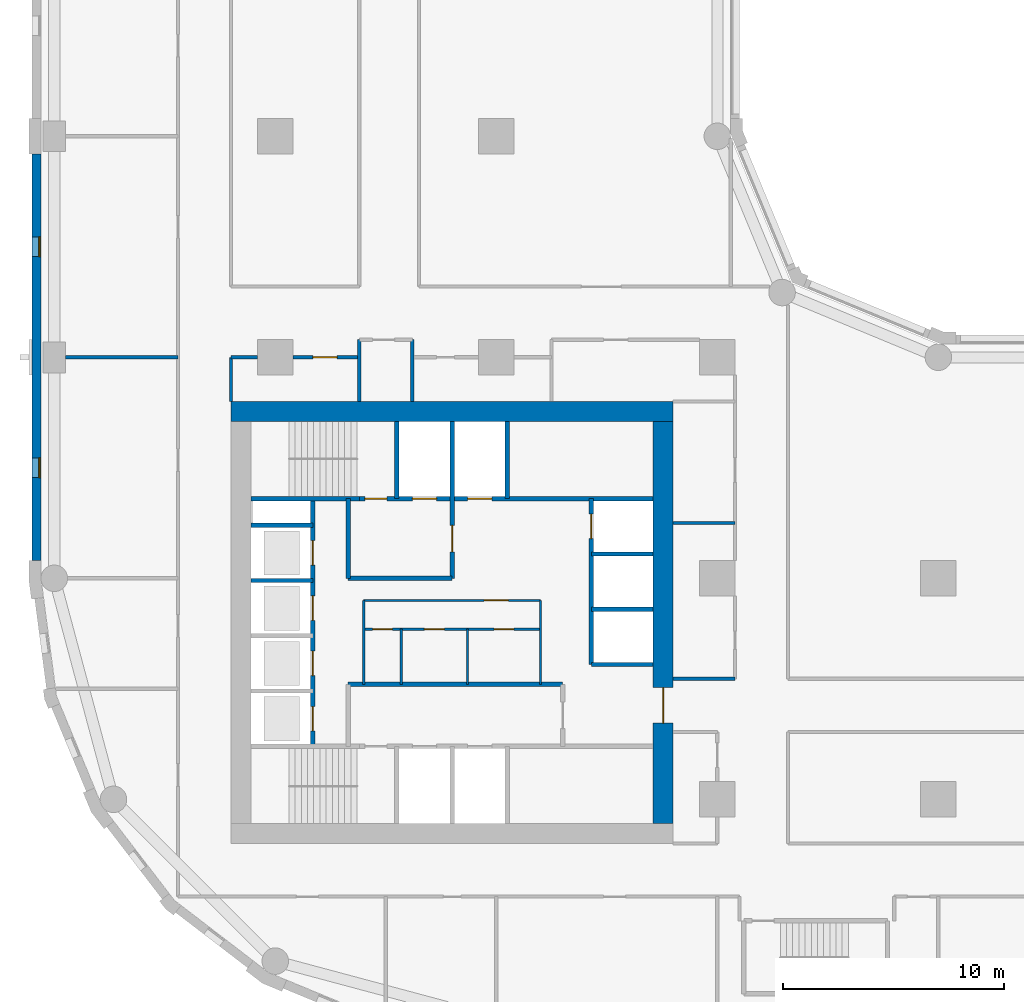
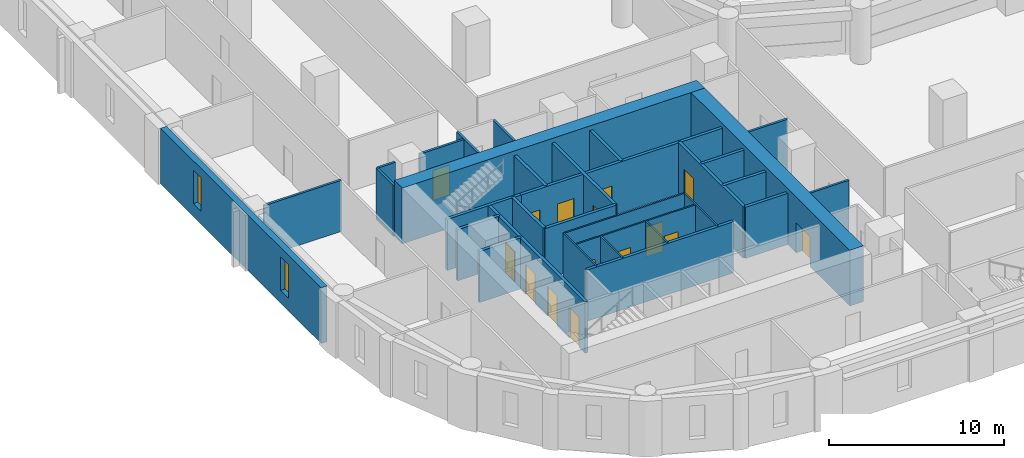
# One storey, part 3 of 10: 32 walls, 15 doors, 2 windows, 17 openings.
"""IFC4 building model written with IfcOpenShell, lengths in metres."""

from ifc_helpers import new_model, si_unit, direction, frame, frame_2d, origin, place, context, subcontext, project, spatial, rectangle, extrude, material, layer, layer_set, type_object, element, fill, save


model = new_model("IFC4")

# Units and contexts
model_context = context("Model", 3, precision=1e-05, world=origin(), true_north=direction((0.0, 1.0)))
body_context = subcontext(model_context, "Body", "Model", "MODEL_VIEW")
ifc_project = project(units=[si_unit("LENGTHUNIT", "METRE"), si_unit("AREAUNIT", "SQUARE_METRE"), si_unit("VOLUMEUNIT", "CUBIC_METRE"), si_unit("PLANEANGLEUNIT", "RADIAN"), si_unit("MASSUNIT", "GRAM", prefix="KILO")], contexts=[model_context])

# Site, building, storey
site_placement = place(None, origin())
site = spatial("IfcSite", under=ifc_project, at=site_placement, CompositionType="ELEMENT")
building_placement = place(site_placement, origin())
building = spatial("IfcBuilding", under=site, at=building_placement, Name="Qaws Garden Tower", CompositionType="ELEMENT")
storey_placement = place(building_placement, frame((0.0, 0.0, 54.89990234375)))
storey = spatial("IfcBuildingStorey", under=building, at=storey_placement, Name="L13", CompositionType="ELEMENT", Elevation=54.89990234375)

# Wall, openings, windows
ifc_material_1 = material(Name="Clay facing brick masonry", Category="masonry")
ifc_layer_1 = layer(ifc_material_1, 0.39990234375)
ifc_layer_set_1 = layer_set([ifc_layer_1], Name="Clay facing brick masonry")
wall_type_1 = type_object("IfcWallType", Name="Brick infill wall 400", PredefinedType="SOLIDWALL", material=ifc_layer_set_1)
wall_1_placement = place(storey_placement, frame((-0.800048828125, 39.199951171875, 0.0), z_axis=(0.0, 0.0, 1.0), x_axis=(0.0, -1.0, 0.0)))
wall_1 = element("IfcWall", 1, at=wall_1_placement, inside=storey, type_object=wall_type_1, Name="E-L13-infill-25", PredefinedType="SOLIDWALL", context=body_context, shape_type="SweptSolid", body=[
    extrude(rectangle(XDim=18.39990234375, YDim=0.39990234375, at=frame_2d((9.199951171875, 0.0))), origin(), (0.0, 0.0, 1.0), 3.900146484375),
])
opening_1_placement = place(wall_1_placement, frame((3.75, 0.0, 0.89990234375)))
opening_1 = element("IfcOpeningElement", 2, at=opening_1_placement, cuts=wall_1, Name="Opening W09", PredefinedType="OPENING", context=body_context, shape_type="SweptSolid", body=[
    extrude(rectangle(XDim=0.89990234375, YDim=2.35009765625, at=frame_2d((0.449951171875, 1.175048828125))), frame((0.0, 0.2099609375, 0.0), z_axis=(0.0, -1.0, 0.0), x_axis=(1.0, 0.0, 0.0)), (0.0, 0.0, 1.0), 0.419921875),
])
opening_2_placement = place(wall_1_placement, frame((13.75, 0.0, 0.89990234375)))
opening_2 = element("IfcOpeningElement", 3, at=opening_2_placement, cuts=wall_1, Name="Opening W09", PredefinedType="OPENING", context=body_context, shape_type="SweptSolid", body=[
    extrude(rectangle(XDim=0.89990234375, YDim=2.35009765625, at=frame_2d((0.449951171875, 1.175048828125))), frame((0.0, 0.2099609375, 0.0), z_axis=(0.0, -1.0, 0.0), x_axis=(1.0, 0.0, 0.0)), (0.0, 0.0, 1.0), 0.419921875),
])
ifc_material_2 = material(Name="Aluminium framed window, clear glazing", Category="aluminium")
window_type = type_object("IfcWindowType", Name="Slit window 900 x 2350", PartitioningType="SINGLE_PANEL", PredefinedType="WINDOW", material=ifc_material_2)
window_1_placement = place(opening_1_placement, origin())
window_1 = element("IfcWindow", 4, at=window_1_placement, inside=storey, type_object=window_type, Name="E-L13-window-25-0", OverallHeight=2.35009765625, OverallWidth=0.89990234375, PartitioningType="SINGLE_PANEL", PredefinedType="WINDOW", context=body_context, shape_type="SweptSolid", body=[
    extrude(rectangle(XDim=0.89990234375, YDim=2.35009765625, at=frame_2d((0.449951171875, 1.175048828125))), frame((0.0, 0.159912109375, 0.0), z_axis=(0.0, -1.0, 0.0), x_axis=(1.0, 0.0, 0.0)), (0.0, 0.0, 1.0), 0.06005859375),
])
fill(opening_1, window_1)
window_2_placement = place(opening_2_placement, origin())
window_2 = element("IfcWindow", 5, at=window_2_placement, inside=storey, type_object=window_type, Name="E-L13-window-26-0", OverallHeight=2.35009765625, OverallWidth=0.89990234375, PartitioningType="SINGLE_PANEL", PredefinedType="WINDOW", context=body_context, shape_type="SweptSolid", body=[
    extrude(rectangle(XDim=0.89990234375, YDim=2.35009765625, at=frame_2d((0.449951171875, 1.175048828125))), frame((0.0, 0.159912109375, 0.0), z_axis=(0.0, -1.0, 0.0), x_axis=(1.0, 0.0, 0.0)), (0.0, 0.0, 1.0), 0.06005859375),
])
fill(opening_2, window_2)

# Wall, openings, doors
ifc_material_3 = material(Name="Plasterboard")
ifc_layer_2 = layer(ifc_material_3, 0.10009765625)
ifc_layer_set_2 = layer_set([ifc_layer_2], Name="Plasterboard")
wall_type_2 = type_object("IfcWallType", Name="Core partition 100", PredefinedType="PARTITIONING", material=ifc_layer_set_2)
wall_2_placement = place(storey_placement, frame((14.0, 17.699951171875, 0.0), z_axis=(0.0, 0.0, 1.0), x_axis=(1.0, 0.0, 0.0)))
wall_2 = element("IfcWall", 6, at=wall_2_placement, inside=storey, type_object=wall_type_2, Name="Core partition", PredefinedType="PARTITIONING", context=body_context, shape_type="SweptSolid", body=[
    extrude(rectangle(XDim=8.0, YDim=0.10009765625, at=frame_2d((4.0, 0.0))), origin(), (0.0, 0.0, 1.0), 3.580078125),
])
opening_3_placement = place(wall_2_placement, frame((0.39990234375, 0.0, 0.0)))
opening_3 = element("IfcOpeningElement", 7, at=opening_3_placement, cuts=wall_2, Name="Opening WD18", PredefinedType="OPENING", context=body_context, shape_type="SweptSolid", body=[
    extrude(rectangle(XDim=0.89990234375, YDim=2.10009765625, at=frame_2d((0.449951171875, 1.050048828125))), frame((0.0, 0.06005859375, 0.0), z_axis=(0.0, -1.0, 0.0), x_axis=(1.0, 0.0, 0.0)), (0.0, 0.0, 1.0), 0.1201171875),
])
opening_4_placement = place(wall_2_placement, frame((2.75, 0.0, 0.0)))
opening_4 = element("IfcOpeningElement", 8, at=opening_4_placement, cuts=wall_2, Name="Opening WD19", PredefinedType="OPENING", context=body_context, shape_type="SweptSolid", body=[
    extrude(rectangle(XDim=0.89990234375, YDim=2.10009765625, at=frame_2d((0.449951171875, 1.050048828125))), frame((0.0, 0.06005859375, 0.0), z_axis=(0.0, -1.0, 0.0), x_axis=(1.0, 0.0, 0.0)), (0.0, 0.0, 1.0), 0.1201171875),
])
opening_5_placement = place(wall_2_placement, frame((5.89990234375, 0.0, 0.0)))
opening_5 = element("IfcOpeningElement", 9, at=opening_5_placement, cuts=wall_2, Name="Opening WD20", PredefinedType="OPENING", context=body_context, shape_type="SweptSolid", body=[
    extrude(rectangle(XDim=0.89990234375, YDim=2.10009765625, at=frame_2d((0.449951171875, 1.050048828125))), frame((0.0, 0.06005859375, 0.0), z_axis=(0.0, -1.0, 0.0), x_axis=(1.0, 0.0, 0.0)), (0.0, 0.0, 1.0), 0.1201171875),
])
ifc_material_4 = material(Name="Timber", Category="wood")
door_type_1 = type_object("IfcDoorType", Name="WC door 900x2100", OperationType="SINGLE_SWING_LEFT", PredefinedType="DOOR", material=ifc_material_4)
door_1_placement = place(opening_3_placement, frame((0.89990234375, 0.0, 0.0), z_axis=(0.0, 0.0, 1.0), x_axis=(-1.0, 0.0, 0.0)))
door_1 = element("IfcDoor", 10, at=door_1_placement, inside=storey, type_object=door_type_1, Name="Accessible WC door", OperationType="SINGLE_SWING_LEFT", OverallHeight=2.10009765625, OverallWidth=0.89990234375, PredefinedType="DOOR", context=body_context, shape_type="SweptSolid", body=[
    extrude(rectangle(XDim=0.89990234375, YDim=2.10009765625, at=frame_2d((0.449951171875, 1.050048828125))), frame((0.0, 0.02490234375, 0.0), z_axis=(0.0, -1.0, 0.0), x_axis=(1.0, 0.0, 0.0)), (0.0, 0.0, 1.0), 0.050048828125),
])
fill(opening_3, door_1)
door_2_placement = place(opening_4_placement, frame((0.89990234375, 0.0, 0.0), z_axis=(0.0, 0.0, 1.0), x_axis=(-1.0, 0.0, 0.0)))
door_2 = element("IfcDoor", 11, at=door_2_placement, inside=storey, type_object=door_type_1, Name="Men's WC door", OperationType="SINGLE_SWING_LEFT", OverallHeight=2.10009765625, OverallWidth=0.89990234375, PredefinedType="DOOR", context=body_context, shape_type="SweptSolid", body=[
    extrude(rectangle(XDim=0.89990234375, YDim=2.10009765625, at=frame_2d((0.449951171875, 1.050048828125))), frame((0.0, 0.02490234375, 0.0), z_axis=(0.0, -1.0, 0.0), x_axis=(1.0, 0.0, 0.0)), (0.0, 0.0, 1.0), 0.050048828125),
])
fill(opening_4, door_2)
door_3_placement = place(opening_5_placement, frame((0.89990234375, 0.0, 0.0), z_axis=(0.0, 0.0, 1.0), x_axis=(-1.0, 0.0, 0.0)))
door_3 = element("IfcDoor", 12, at=door_3_placement, inside=storey, type_object=door_type_1, Name="Women's WC door", OperationType="SINGLE_SWING_LEFT", OverallHeight=2.10009765625, OverallWidth=0.89990234375, PredefinedType="DOOR", context=body_context, shape_type="SweptSolid", body=[
    extrude(rectangle(XDim=0.89990234375, YDim=2.10009765625, at=frame_2d((0.449951171875, 1.050048828125))), frame((0.0, 0.02490234375, 0.0), z_axis=(0.0, -1.0, 0.0), x_axis=(1.0, 0.0, 0.0)), (0.0, 0.0, 1.0), 0.050048828125),
])
fill(opening_5, door_3)

# Wall, opening, door
wall_3_placement = place(storey_placement, frame((14.0, 19.0, 0.0), z_axis=(0.0, 0.0, 1.0), x_axis=(1.0, 0.0, 0.0)))
wall_3 = element("IfcWall", 13, at=wall_3_placement, inside=storey, type_object=wall_type_2, Name="Core partition", PredefinedType="PARTITIONING", context=body_context, shape_type="SweptSolid", body=[
    extrude(rectangle(XDim=8.0, YDim=0.10009765625, at=frame_2d((4.0, 0.0))), origin(), (0.0, 0.0, 1.0), 3.580078125),
])
opening_6_placement = place(wall_3_placement, frame((5.449951171875, 0.0, 0.0)))
opening_6 = element("IfcOpeningElement", 14, at=opening_6_placement, cuts=wall_3, Name="Opening WL17", PredefinedType="OPENING", context=body_context, shape_type="SweptSolid", body=[
    extrude(rectangle(XDim=1.10009765625, YDim=2.10009765625, at=frame_2d((0.550048828125, 1.050048828125))), frame((0.0, 0.06005859375, 0.0), z_axis=(0.0, -1.0, 0.0), x_axis=(1.0, 0.0, 0.0)), (0.0, 0.0, 1.0), 0.1201171875),
])
ifc_material_5 = material(Name="Timber", Category="wood")
door_type_2 = type_object("IfcDoorType", Name="WC lobby door 1100x2100", OperationType="SINGLE_SWING_LEFT", PredefinedType="DOOR", material=ifc_material_5)
door_4_placement = place(opening_6_placement, frame((1.10009765625, 0.0, 0.0), z_axis=(0.0, 0.0, 1.0), x_axis=(-1.0, 0.0, 0.0)))
door_4 = element("IfcDoor", 15, at=door_4_placement, inside=storey, type_object=door_type_2, Name="WC lobby door", OperationType="SINGLE_SWING_LEFT", OverallHeight=2.10009765625, OverallWidth=1.10009765625, PredefinedType="DOOR", context=body_context, shape_type="SweptSolid", body=[
    extrude(rectangle(XDim=1.10009765625, YDim=2.10009765625, at=frame_2d((0.550048828125, 1.050048828125))), frame((0.0, 0.02490234375, 0.0), z_axis=(0.0, -1.0, 0.0), x_axis=(1.0, 0.0, 0.0)), (0.0, 0.0, 1.0), 0.050048828125),
])
fill(opening_6, door_4)

# Walls
wall_4_placement = place(storey_placement, frame((14.0, 15.199951171875, 0.0), z_axis=(0.0, 0.0, 1.0), x_axis=(0.0, 1.0, 0.0)))
element("IfcWall", 16, at=wall_4_placement, inside=storey, type_object=wall_type_2, Name="Core partition", PredefinedType="PARTITIONING", context=body_context, shape_type="SweptSolid", body=[
    extrude(rectangle(XDim=3.800048828125, YDim=0.10009765625, at=frame_2d((1.89990234375, 0.0))), origin(), (0.0, 0.0, 1.0), 3.580078125),
])
for number, where, z_axis, x_axis, name in (
    (17, (15.699951171875, 15.199951171875, 0.0), (0.0, 0.0, 1.0), (0.0, 1.0, 0.0), "Core partition"),
    (18, (18.699951171875, 15.199951171875, 0.0), (0.0, 0.0, 1.0), (0.0, 1.0, 0.0), "Core partition"),
):
    element("IfcWall", number, at=place(storey_placement, frame(where, z_axis=z_axis, x_axis=x_axis)), inside=storey, type_object=wall_type_2, Name=name, PredefinedType="PARTITIONING", context=body_context, shape_type="SweptSolid", body=[
        extrude(rectangle(XDim=2.5, YDim=0.10009765625, at=frame_2d((1.25, 0.0))), origin(), (0.0, 0.0, 1.0), 3.580078125),
    ])
wall_5_placement = place(storey_placement, frame((22.0, 15.199951171875, 0.0), z_axis=(0.0, 0.0, 1.0), x_axis=(0.0, 1.0, 0.0)))
element("IfcWall", 19, at=wall_5_placement, inside=storey, type_object=wall_type_2, Name="Core partition", PredefinedType="PARTITIONING", context=body_context, shape_type="SweptSolid", body=[
    extrude(rectangle(XDim=3.800048828125, YDim=0.10009765625, at=frame_2d((1.89990234375, 0.0))), origin(), (0.0, 0.0, 1.0), 3.580078125),
])
ifc_material_6 = material(Name="Concrete C80", Category="concrete")
ifc_layer_3 = layer(ifc_material_6, 0.199951171875)
ifc_layer_set_3 = layer_set([ifc_layer_3], Name="Concrete C80")
wall_type_3 = type_object("IfcWallType", Name="Core shaft wall 200 C80", PredefinedType="SHEAR", material=ifc_layer_set_3)
wall_6_placement = place(storey_placement, frame((13.300048828125, 15.199951171875, 0.0), z_axis=(0.0, 0.0, 1.0), x_axis=(1.0, 0.0, 0.0)))
element("IfcWall", 20, at=wall_6_placement, inside=storey, type_object=wall_type_3, Name="Shaft wall", PredefinedType="SHEAR", context=body_context, shape_type="SweptSolid", body=[
    extrude(rectangle(XDim=9.699951171875, YDim=0.199951171875, at=frame_2d((4.85009765625, 0.0))), origin(), (0.0, 0.0, 1.0), 3.580078125),
])
for number, where, z_axis, x_axis, name in (
    (21, (24.300048828125, 16.10009765625, 0.0), (0.0, 0.0, 1.0), (1.0, 0.0, 0.0), "Shaft wall"),
    (22, (24.300048828125, 18.60009765625, 0.0), (0.0, 0.0, 1.0), (1.0, 0.0, 0.0), "Shaft wall"),
    (23, (8.89990234375, 19.89990234375, 0.0), (0.0, 0.0, 1.0), (1.0, 0.0, 0.0), "Shaft wall"),
):
    element("IfcWall", number, at=place(storey_placement, frame(where, z_axis=z_axis, x_axis=x_axis)), inside=storey, type_object=wall_type_3, Name=name, PredefinedType="SHEAR", context=body_context, shape_type="SweptSolid", body=[
        extrude(rectangle(XDim=2.800048828125, YDim=0.199951171875, at=frame_2d((1.39990234375, 0.0))), origin(), (0.0, 0.0, 1.0), 3.580078125),
    ])
wall_7_placement = place(storey_placement, frame((13.300048828125, 20.0, 0.0), z_axis=(0.0, 0.0, 1.0), x_axis=(1.0, 0.0, 0.0)))
element("IfcWall", 24, at=wall_7_placement, inside=storey, type_object=wall_type_3, Name="Shaft wall", PredefinedType="SHEAR", context=body_context, shape_type="SweptSolid", body=[
    extrude(rectangle(XDim=4.699951171875, YDim=0.199951171875, at=frame_2d((2.35009765625, 0.0))), origin(), (0.0, 0.0, 1.0), 3.580078125),
])
for number, where, z_axis, x_axis, name in (
    (25, (24.300048828125, 21.10009765625, 0.0), (0.0, 0.0, 1.0), (1.0, 0.0, 0.0), "Shaft wall"),
    (26, (8.89990234375, 22.39990234375, 0.0), (0.0, 0.0, 1.0), (1.0, 0.0, 0.0), "Shaft wall"),
):
    element("IfcWall", number, at=place(storey_placement, frame(where, z_axis=z_axis, x_axis=x_axis)), inside=storey, type_object=wall_type_3, Name=name, PredefinedType="SHEAR", context=body_context, shape_type="SweptSolid", body=[
        extrude(rectangle(XDim=2.800048828125, YDim=0.199951171875, at=frame_2d((1.39990234375, 0.0))), origin(), (0.0, 0.0, 1.0), 3.580078125),
    ])
wall_8_placement = place(storey_placement, frame((8.89990234375, 23.60009765625, 0.0), z_axis=(0.0, 0.0, 1.0), x_axis=(1.0, 0.0, 0.0)))
element("IfcWall", 27, at=wall_8_placement, inside=storey, type_object=wall_type_3, Name="Shaft wall", PredefinedType="SHEAR", context=body_context, shape_type="SweptSolid", body=[
    extrude(rectangle(XDim=4.900146484375, YDim=0.199951171875, at=frame_2d((2.4501953125, 0.0))), origin(), (0.0, 0.0, 1.0), 3.580078125),
])

# Wall, openings, doors
wall_9_placement = place(storey_placement, frame((13.800048828125, 23.60009765625, 0.0), z_axis=(0.0, 0.0, 1.0), x_axis=(1.0, 0.0, 0.0)))
wall_9 = element("IfcWall", 28, at=wall_9_placement, inside=storey, type_object=wall_type_3, Name="Shaft wall", PredefinedType="SHEAR", context=body_context, shape_type="SweptSolid", body=[
    extrude(rectangle(XDim=13.300048828125, YDim=0.199951171875, at=frame_2d((6.64990234375, 0.0))), origin(), (0.0, 0.0, 1.0), 3.580078125),
])
opening_7_placement = place(wall_9_placement, frame((2.39990234375, 0.0, 0.0)))
opening_7 = element("IfcOpeningElement", 29, at=opening_7_placement, cuts=wall_9, Name="Opening LD08", PredefinedType="OPENING", context=body_context, shape_type="SweptSolid", body=[
    extrude(rectangle(XDim=1.10009765625, YDim=2.10009765625, at=frame_2d((0.550048828125, 1.050048828125))), frame((0.0, 0.10986328125, 0.0), z_axis=(0.0, -1.0, 0.0), x_axis=(1.0, 0.0, 0.0)), (0.0, 0.0, 1.0), 0.219970703125),
])
opening_8_placement = place(wall_9_placement, frame((4.89990234375, 0.0, 0.0)))
opening_8 = element("IfcOpeningElement", 30, at=opening_8_placement, cuts=wall_9, Name="Opening LD09", PredefinedType="OPENING", context=body_context, shape_type="SweptSolid", body=[
    extrude(rectangle(XDim=1.10009765625, YDim=2.10009765625, at=frame_2d((0.550048828125, 1.050048828125))), frame((0.0, 0.10986328125, 0.0), z_axis=(0.0, -1.0, 0.0), x_axis=(1.0, 0.0, 0.0)), (0.0, 0.0, 1.0), 0.219970703125),
])
opening_9_placement = place(wall_9_placement, frame((0.25, 0.0, 0.0)))
opening_9 = element("IfcOpeningElement", 31, at=opening_9_placement, cuts=wall_9, Name="Opening SD11", PredefinedType="OPENING", context=body_context, shape_type="SweptSolid", body=[
    extrude(rectangle(XDim=1.0, YDim=2.10009765625, at=frame_2d((0.5, 1.050048828125))), frame((0.0, 0.10986328125, 0.0), z_axis=(0.0, -1.0, 0.0), x_axis=(1.0, 0.0, 0.0)), (0.0, 0.0, 1.0), 0.219970703125),
])
ifc_material_7 = material(Name="Steel S235", Category="steel")
door_type_3 = type_object("IfcDoorType", Name="Landing door 1100x2100", OperationType="DOUBLE_DOOR_SLIDING", PredefinedType="DOOR", material=ifc_material_7)
door_5_placement = place(opening_7_placement, origin())
door_5 = element("IfcDoor", 32, at=door_5_placement, inside=storey, type_object=door_type_3, Name="Lift FF3 landing door", OperationType="DOUBLE_DOOR_SLIDING", OverallHeight=2.10009765625, OverallWidth=1.10009765625, PredefinedType="DOOR", context=body_context, shape_type="SweptSolid", body=[
    extrude(rectangle(XDim=1.10009765625, YDim=2.10009765625, at=frame_2d((0.550048828125, 1.050048828125))), frame((0.0, 0.02490234375, 0.0), z_axis=(0.0, -1.0, 0.0), x_axis=(1.0, 0.0, 0.0)), (0.0, 0.0, 1.0), 0.050048828125),
])
fill(opening_7, door_5)
door_6_placement = place(opening_8_placement, origin())
door_6 = element("IfcDoor", 33, at=door_6_placement, inside=storey, type_object=door_type_3, Name="Lift SV2 landing door", OperationType="DOUBLE_DOOR_SLIDING", OverallHeight=2.10009765625, OverallWidth=1.10009765625, PredefinedType="DOOR", context=body_context, shape_type="SweptSolid", body=[
    extrude(rectangle(XDim=1.10009765625, YDim=2.10009765625, at=frame_2d((0.550048828125, 1.050048828125))), frame((0.0, 0.02490234375, 0.0), z_axis=(0.0, -1.0, 0.0), x_axis=(1.0, 0.0, 0.0)), (0.0, 0.0, 1.0), 0.050048828125),
])
fill(opening_8, door_6)
ifc_material_8 = material(Name="Steel S235", Category="steel")
door_type_4 = type_object("IfcDoorType", Name="Stair door 1000x2100", OperationType="SINGLE_SWING_RIGHT", PredefinedType="DOOR", material=ifc_material_8)
door_7_placement = place(opening_9_placement, origin())
door_7 = element("IfcDoor", 34, at=door_7_placement, inside=storey, type_object=door_type_4, Name="Stair 4 door", OperationType="SINGLE_SWING_RIGHT", OverallHeight=2.10009765625, OverallWidth=1.0, PredefinedType="DOOR", context=body_context, shape_type="SweptSolid", body=[
    extrude(rectangle(XDim=1.0, YDim=2.10009765625, at=frame_2d((0.5, 1.050048828125))), frame((0.0, 0.02490234375, 0.0), z_axis=(0.0, -1.0, 0.0), x_axis=(1.0, 0.0, 0.0)), (0.0, 0.0, 1.0), 0.050048828125),
])
fill(opening_9, door_7)

wall_10_placement = place(storey_placement, frame((11.699951171875, 12.39990234375, 0.0), z_axis=(0.0, 0.0, 1.0), x_axis=(0.0, 1.0, 0.0)))
wall_10 = element("IfcWall", 35, at=wall_10_placement, inside=storey, type_object=wall_type_3, Name="Shaft wall", PredefinedType="SHEAR", context=body_context, shape_type="SweptSolid", body=[
    extrude(rectangle(XDim=11.2001953125, YDim=0.199951171875, at=frame_2d((5.60009765625, 0.0))), origin(), (0.0, 0.0, 1.0), 3.580078125),
])
opening_10_placement = place(wall_10_placement, frame((0.699951171875, 0.0, 0.0)))
opening_10 = element("IfcOpeningElement", 36, at=opening_10_placement, cuts=wall_10, Name="Opening LD01", PredefinedType="OPENING", context=body_context, shape_type="SweptSolid", body=[
    extrude(rectangle(XDim=1.10009765625, YDim=2.10009765625, at=frame_2d((0.550048828125, 1.050048828125))), frame((0.0, 0.10986328125, 0.0), z_axis=(0.0, -1.0, 0.0), x_axis=(1.0, 0.0, 0.0)), (0.0, 0.0, 1.0), 0.219970703125),
])
opening_11_placement = place(wall_10_placement, frame((3.199951171875, 0.0, 0.0)))
opening_11 = element("IfcOpeningElement", 37, at=opening_11_placement, cuts=wall_10, Name="Opening LD02", PredefinedType="OPENING", context=body_context, shape_type="SweptSolid", body=[
    extrude(rectangle(XDim=1.10009765625, YDim=2.10009765625, at=frame_2d((0.550048828125, 1.050048828125))), frame((0.0, 0.10986328125, 0.0), z_axis=(0.0, -1.0, 0.0), x_axis=(1.0, 0.0, 0.0)), (0.0, 0.0, 1.0), 0.219970703125),
])
opening_12_placement = place(wall_10_placement, frame((5.699951171875, 0.0, 0.0)))
opening_12 = element("IfcOpeningElement", 38, at=opening_12_placement, cuts=wall_10, Name="Opening LD03", PredefinedType="OPENING", context=body_context, shape_type="SweptSolid", body=[
    extrude(rectangle(XDim=1.10009765625, YDim=2.10009765625, at=frame_2d((0.550048828125, 1.050048828125))), frame((0.0, 0.10986328125, 0.0), z_axis=(0.0, -1.0, 0.0), x_axis=(1.0, 0.0, 0.0)), (0.0, 0.0, 1.0), 0.219970703125),
])
opening_13_placement = place(wall_10_placement, frame((8.199951171875, 0.0, 0.0)))
opening_13 = element("IfcOpeningElement", 39, at=opening_13_placement, cuts=wall_10, Name="Opening LD04", PredefinedType="OPENING", context=body_context, shape_type="SweptSolid", body=[
    extrude(rectangle(XDim=1.10009765625, YDim=2.10009765625, at=frame_2d((0.550048828125, 1.050048828125))), frame((0.0, 0.10986328125, 0.0), z_axis=(0.0, -1.0, 0.0), x_axis=(1.0, 0.0, 0.0)), (0.0, 0.0, 1.0), 0.219970703125),
])
door_8_placement = place(opening_10_placement, origin())
door_8 = element("IfcDoor", 40, at=door_8_placement, inside=storey, type_object=door_type_3, Name="Lift W1 landing door", OperationType="DOUBLE_DOOR_SLIDING", OverallHeight=2.10009765625, OverallWidth=1.10009765625, PredefinedType="DOOR", context=body_context, shape_type="SweptSolid", body=[
    extrude(rectangle(XDim=1.10009765625, YDim=2.10009765625, at=frame_2d((0.550048828125, 1.050048828125))), frame((0.0, 0.02490234375, 0.0), z_axis=(0.0, -1.0, 0.0), x_axis=(1.0, 0.0, 0.0)), (0.0, 0.0, 1.0), 0.050048828125),
])
fill(opening_10, door_8)
door_9_placement = place(opening_11_placement, origin())
door_9 = element("IfcDoor", 41, at=door_9_placement, inside=storey, type_object=door_type_3, Name="Lift W2 landing door", OperationType="DOUBLE_DOOR_SLIDING", OverallHeight=2.10009765625, OverallWidth=1.10009765625, PredefinedType="DOOR", context=body_context, shape_type="SweptSolid", body=[
    extrude(rectangle(XDim=1.10009765625, YDim=2.10009765625, at=frame_2d((0.550048828125, 1.050048828125))), frame((0.0, 0.02490234375, 0.0), z_axis=(0.0, -1.0, 0.0), x_axis=(1.0, 0.0, 0.0)), (0.0, 0.0, 1.0), 0.050048828125),
])
fill(opening_11, door_9)
door_10_placement = place(opening_12_placement, origin())
door_10 = element("IfcDoor", 42, at=door_10_placement, inside=storey, type_object=door_type_3, Name="Lift W3 landing door", OperationType="DOUBLE_DOOR_SLIDING", OverallHeight=2.10009765625, OverallWidth=1.10009765625, PredefinedType="DOOR", context=body_context, shape_type="SweptSolid", body=[
    extrude(rectangle(XDim=1.10009765625, YDim=2.10009765625, at=frame_2d((0.550048828125, 1.050048828125))), frame((0.0, 0.02490234375, 0.0), z_axis=(0.0, -1.0, 0.0), x_axis=(1.0, 0.0, 0.0)), (0.0, 0.0, 1.0), 0.050048828125),
])
fill(opening_12, door_10)
door_11_placement = place(opening_13_placement, origin())
door_11 = element("IfcDoor", 43, at=door_11_placement, inside=storey, type_object=door_type_3, Name="Lift W4 landing door", OperationType="DOUBLE_DOOR_SLIDING", OverallHeight=2.10009765625, OverallWidth=1.10009765625, PredefinedType="DOOR", context=body_context, shape_type="SweptSolid", body=[
    extrude(rectangle(XDim=1.10009765625, YDim=2.10009765625, at=frame_2d((0.550048828125, 1.050048828125))), frame((0.0, 0.02490234375, 0.0), z_axis=(0.0, -1.0, 0.0), x_axis=(1.0, 0.0, 0.0)), (0.0, 0.0, 1.0), 0.050048828125),
])
fill(opening_13, door_11)

# Walls
wall_11_placement = place(storey_placement, frame((13.300048828125, 20.0, 0.0), z_axis=(0.0, 0.0, 1.0), x_axis=(0.0, 1.0, 0.0)))
element("IfcWall", 44, at=wall_11_placement, inside=storey, type_object=wall_type_3, Name="Shaft wall", PredefinedType="SHEAR", context=body_context, shape_type="SweptSolid", body=[
    extrude(rectangle(XDim=3.60009765625, YDim=0.199951171875, at=frame_2d((1.800048828125, 0.0))), origin(), (0.0, 0.0, 1.0), 3.580078125),
])
wall_12_placement = place(storey_placement, frame((15.5, 23.60009765625, 0.0), z_axis=(0.0, 0.0, 1.0), x_axis=(0.0, 1.0, 0.0)))
element("IfcWall", 45, at=wall_12_placement, inside=storey, type_object=wall_type_3, Name="Shaft wall", PredefinedType="SHEAR", context=body_context, shape_type="SweptSolid", body=[
    extrude(rectangle(XDim=3.5, YDim=0.199951171875, at=frame_2d((1.75, 0.0))), origin(), (0.0, 0.0, 1.0), 3.580078125),
])

# Wall, opening, door
wall_13_placement = place(storey_placement, frame((18.0, 20.0, 0.0), z_axis=(0.0, 0.0, 1.0), x_axis=(0.0, 1.0, 0.0)))
wall_13 = element("IfcWall", 46, at=wall_13_placement, inside=storey, type_object=wall_type_3, Name="Shaft wall", PredefinedType="SHEAR", context=body_context, shape_type="SweptSolid", body=[
    extrude(rectangle(XDim=7.10009765625, YDim=0.199951171875, at=frame_2d((3.550048828125, 0.0))), origin(), (0.0, 0.0, 1.0), 3.580078125),
])
opening_14_placement = place(wall_13_placement, frame((1.199951171875, 0.0, 0.0)))
opening_14 = element("IfcOpeningElement", 47, at=opening_14_placement, cuts=wall_13, Name="Opening FD16", PredefinedType="OPENING", context=body_context, shape_type="SweptSolid", body=[
    extrude(rectangle(XDim=1.199951171875, YDim=2.10009765625, at=frame_2d((0.60009765625, 1.050048828125))), frame((0.0, 0.10986328125, 0.0), z_axis=(0.0, -1.0, 0.0), x_axis=(1.0, 0.0, 0.0)), (0.0, 0.0, 1.0), 0.219970703125),
])
ifc_material_9 = material(Name="Steel S235", Category="steel")
door_type_5 = type_object("IfcDoorType", Name="Lobby door 1200x2100", OperationType="DOUBLE_DOOR_SINGLE_SWING", PredefinedType="DOOR", material=ifc_material_9)
door_12_placement = place(opening_14_placement, origin())
door_12 = element("IfcDoor", 48, at=door_12_placement, inside=storey, type_object=door_type_5, Name="Fire-fighting lobby door", OperationType="DOUBLE_DOOR_SINGLE_SWING", OverallHeight=2.10009765625, OverallWidth=1.199951171875, PredefinedType="DOOR", context=body_context, shape_type="SweptSolid", body=[
    extrude(rectangle(XDim=1.199951171875, YDim=2.10009765625, at=frame_2d((0.60009765625, 1.050048828125))), frame((0.0, 0.02490234375, 0.0), z_axis=(0.0, -1.0, 0.0), x_axis=(1.0, 0.0, 0.0)), (0.0, 0.0, 1.0), 0.050048828125),
])
fill(opening_14, door_12)

# Wall
wall_14_placement = place(storey_placement, frame((20.5, 23.60009765625, 0.0), z_axis=(0.0, 0.0, 1.0), x_axis=(0.0, 1.0, 0.0)))
element("IfcWall", 49, at=wall_14_placement, inside=storey, type_object=wall_type_3, Name="Shaft wall", PredefinedType="SHEAR", context=body_context, shape_type="SweptSolid", body=[
    extrude(rectangle(XDim=3.5, YDim=0.199951171875, at=frame_2d((1.75, 0.0))), origin(), (0.0, 0.0, 1.0), 3.580078125),
])

# Wall, opening, door
wall_15_placement = place(storey_placement, frame((24.300048828125, 16.10009765625, 0.0), z_axis=(0.0, 0.0, 1.0), x_axis=(0.0, 1.0, 0.0)))
wall_15 = element("IfcWall", 50, at=wall_15_placement, inside=storey, type_object=wall_type_3, Name="Shaft wall", PredefinedType="SHEAR", context=body_context, shape_type="SweptSolid", body=[
    extrude(rectangle(XDim=7.5, YDim=0.199951171875, at=frame_2d((3.75, 0.0))), origin(), (0.0, 0.0, 1.0), 3.580078125),
])
opening_15_placement = place(wall_15_placement, frame((5.699951171875, 0.0, 0.0)))
opening_15 = element("IfcOpeningElement", 51, at=opening_15_placement, cuts=wall_15, Name="Opening LD05", PredefinedType="OPENING", context=body_context, shape_type="SweptSolid", body=[
    extrude(rectangle(XDim=1.10009765625, YDim=2.10009765625, at=frame_2d((0.550048828125, 1.050048828125))), frame((0.0, 0.10986328125, 0.0), z_axis=(0.0, -1.0, 0.0), x_axis=(1.0, 0.0, 0.0)), (0.0, 0.0, 1.0), 0.219970703125),
])
door_13_placement = place(opening_15_placement, origin())
door_13 = element("IfcDoor", 52, at=door_13_placement, inside=storey, type_object=door_type_3, Name="Lift E3 landing door", OperationType="DOUBLE_DOOR_SLIDING", OverallHeight=2.10009765625, OverallWidth=1.10009765625, PredefinedType="DOOR", context=body_context, shape_type="SweptSolid", body=[
    extrude(rectangle(XDim=1.10009765625, YDim=2.10009765625, at=frame_2d((0.550048828125, 1.050048828125))), frame((0.0, 0.02490234375, 0.0), z_axis=(0.0, -1.0, 0.0), x_axis=(1.0, 0.0, 0.0)), (0.0, 0.0, 1.0), 0.050048828125),
])
fill(opening_15, door_13)

ifc_material_10 = material(Name="Concrete C80", Category="concrete")
ifc_layer_4 = layer(ifc_material_10, 0.89990234375)
ifc_layer_set_4 = layer_set([ifc_layer_4], Name="Concrete C80")
wall_type_4 = type_object("IfcWallType", Name="Core wall 900 C80", PredefinedType="SHEAR", material=ifc_layer_set_4)
wall_16_placement = place(storey_placement, frame((27.550048828125, 8.89990234375, 0.0), z_axis=(0.0, 0.0, 1.0), x_axis=(0.0, 1.0, 0.0)))
wall_16 = element("IfcWall", 53, at=wall_16_placement, inside=storey, type_object=wall_type_4, Name="Core wall L13 east", PredefinedType="SHEAR", context=body_context, shape_type="SweptSolid", body=[
    extrude(rectangle(XDim=18.2001953125, YDim=0.89990234375, at=frame_2d((9.10009765625, 0.0))), origin(), (0.0, 0.0, 1.0), 3.900146484375),
])
opening_16_placement = place(wall_16_placement, frame((4.550048828125, 0.0, 0.0)))
opening_16 = element("IfcOpeningElement", 54, at=opening_16_placement, cuts=wall_16, Name="Opening ED21", PredefinedType="OPENING", context=body_context, shape_type="SweptSolid", body=[
    extrude(rectangle(XDim=1.60009765625, YDim=2.10009765625, at=frame_2d((0.800048828125, 1.050048828125))), frame((0.0, 0.4599609375, 0.0), z_axis=(0.0, -1.0, 0.0), x_axis=(1.0, 0.0, 0.0)), (0.0, 0.0, 1.0), 0.919921875),
])
ifc_material_11 = material(Name="Steel S235", Category="steel")
door_type_6 = type_object("IfcDoorType", Name="Core entrance door 1600x2100", OperationType="DOUBLE_DOOR_SINGLE_SWING", PredefinedType="DOOR", material=ifc_material_11)
door_14_placement = place(opening_16_placement, origin())
door_14 = element("IfcDoor", 55, at=door_14_placement, inside=storey, type_object=door_type_6, Name="Core entrance door", OperationType="DOUBLE_DOOR_SINGLE_SWING", OverallHeight=2.10009765625, OverallWidth=1.60009765625, PredefinedType="DOOR", context=body_context, shape_type="SweptSolid", body=[
    extrude(rectangle(XDim=1.60009765625, YDim=2.10009765625, at=frame_2d((0.800048828125, 1.050048828125))), frame((0.0, 0.02490234375, 0.0), z_axis=(0.0, -1.0, 0.0), x_axis=(1.0, 0.0, 0.0)), (0.0, 0.0, 1.0), 0.050048828125),
])
fill(opening_16, door_14)

# Walls
wall_17_placement = place(storey_placement, frame((28.0, 27.550048828125, 0.0), z_axis=(0.0, 0.0, 1.0), x_axis=(-1.0, 0.0, 0.0)))
element("IfcWall", 56, at=wall_17_placement, inside=storey, type_object=wall_type_4, Name="Core wall L13 north", PredefinedType="SHEAR", context=body_context, shape_type="SweptSolid", body=[
    extrude(rectangle(XDim=20.0, YDim=0.89990234375, at=frame_2d((10.0, 0.0))), origin(), (0.0, 0.0, 1.0), 3.900146484375),
])
ifc_material_12 = material(Name="Gypsum board partition")
ifc_layer_5 = layer(ifc_material_12, 0.14990234375)
ifc_layer_set_5 = layer_set([ifc_layer_5], Name="Gypsum board partition")
wall_type_5 = type_object("IfcWallType", Name="PARTITION 150 EI 60", PredefinedType="PARTITIONING", material=ifc_layer_set_5)
wall_18_placement = place(storey_placement, frame((8.0, 28.0, 0.0), z_axis=(0.0, 0.0, 1.0), x_axis=(0.0, 1.0, 0.0)))
element("IfcWall", 57, at=wall_18_placement, inside=storey, type_object=wall_type_5, Name="O-L13-wall-002", PredefinedType="PARTITIONING", context=body_context, shape_type="SweptSolid", body=[
    extrude(rectangle(XDim=2.0, YDim=0.14990234375, at=frame_2d((1.0, 0.0))), origin(), (0.0, 0.0, 1.0), 3.580078125),
])
for number, where, z_axis, x_axis, name in (
    (58, (13.800048828125, 28.0, 0.0), (0.0, 0.0, 1.0), (0.0, 1.0, 0.0), "O-L13-wall-005"),
    (59, (16.199951171875, 28.0, 0.0), (0.0, 0.0, 1.0), (0.0, 1.0, 0.0), "O-L13-wall-008"),
    (60, (28.0, 15.449951171875, 0.0), (0.0, 0.0, 1.0), (1.0, 0.0, 0.0), "O-L13-wall-036"),
    (61, (28.0, 22.5, 0.0), (0.0, 0.0, 1.0), (1.0, 0.0, 0.0), "O-L13-wall-039"),
):
    element("IfcWall", number, at=place(storey_placement, frame(where, z_axis=z_axis, x_axis=x_axis)), inside=storey, type_object=wall_type_5, Name=name, PredefinedType="PARTITIONING", context=body_context, shape_type="SweptSolid", body=[
        extrude(rectangle(XDim=2.800048828125, YDim=0.14990234375, at=frame_2d((1.39990234375, 0.0))), origin(), (0.0, 0.0, 1.0), 3.580078125),
    ])
wall_19_placement = place(storey_placement, frame((0.5, 30.0, 0.0), z_axis=(0.0, 0.0, 1.0), x_axis=(1.0, 0.0, 0.0)))
element("IfcWall", 62, at=wall_19_placement, inside=storey, type_object=wall_type_5, Name="O-L13-wall-041", PredefinedType="PARTITIONING", context=body_context, shape_type="SweptSolid", body=[
    extrude(rectangle(XDim=5.10009765625, YDim=0.14990234375, at=frame_2d((2.550048828125, 0.0))), origin(), (0.0, 0.0, 1.0), 3.580078125),
])
wall_20_placement = place(storey_placement, frame((8.0, 30.0, 0.0), z_axis=(0.0, 0.0, 1.0), x_axis=(1.0, 0.0, 0.0)))
element("IfcWall", 63, at=wall_20_placement, inside=storey, type_object=wall_type_5, Name="O-L13-wall-042", PredefinedType="PARTITIONING", context=body_context, shape_type="SweptSolid", body=[
    extrude(rectangle(XDim=1.199951171875, YDim=0.14990234375, at=frame_2d((0.60009765625, 0.0))), origin(), (0.0, 0.0, 1.0), 3.580078125),
])

# Wall, opening, door
wall_21_placement = place(storey_placement, frame((10.800048828125, 30.0, 0.0), z_axis=(0.0, 0.0, 1.0), x_axis=(1.0, 0.0, 0.0)))
wall_21 = element("IfcWall", 64, at=wall_21_placement, inside=storey, type_object=wall_type_5, Name="O-L13-wall-043", PredefinedType="PARTITIONING", context=body_context, shape_type="SweptSolid", body=[
    extrude(rectangle(XDim=3.0, YDim=0.14990234375, at=frame_2d((1.5, 0.0))), origin(), (0.0, 0.0, 1.0), 3.580078125),
])
opening_17_placement = place(wall_21_placement, frame((0.89990234375, 0.0, 0.0)))
opening_17 = element("IfcOpeningElement", 65, at=opening_17_placement, cuts=wall_21, Name="Opening A410", PredefinedType="OPENING", context=body_context, shape_type="SweptSolid", body=[
    extrude(rectangle(XDim=1.10009765625, YDim=2.10009765625, at=frame_2d((0.550048828125, 1.050048828125))), frame((0.0, 0.0849609375, 0.0), z_axis=(0.0, -1.0, 0.0), x_axis=(1.0, 0.0, 0.0)), (0.0, 0.0, 1.0), 0.169921875),
])
ifc_material_13 = material(Name="Timber door leaf", Category="wood")
door_type_7 = type_object("IfcDoorType", Name="SERVICE ROOM DOOR 1100 X 2100", OperationType="SINGLE_SWING_LEFT", PredefinedType="DOOR", material=ifc_material_13)
door_15_placement = place(opening_17_placement, frame((1.10009765625, 0.0, 0.0), z_axis=(0.0, 0.0, 1.0), x_axis=(-1.0, 0.0, 0.0)))
door_15 = element("IfcDoor", 66, at=door_15_placement, inside=storey, type_object=door_type_7, Name="O-L13-door-010", OperationType="SINGLE_SWING_LEFT", OverallHeight=2.10009765625, OverallWidth=1.10009765625, PredefinedType="DOOR", context=body_context, shape_type="SweptSolid", body=[
    extrude(rectangle(XDim=1.10009765625, YDim=2.10009765625, at=frame_2d((0.550048828125, 1.050048828125))), frame((0.0, 0.02490234375, 0.0), z_axis=(0.0, -1.0, 0.0), x_axis=(1.0, 0.0, 0.0)), (0.0, 0.0, 1.0), 0.050048828125),
])
fill(opening_17, door_15)

save(model, "model.ifc")
